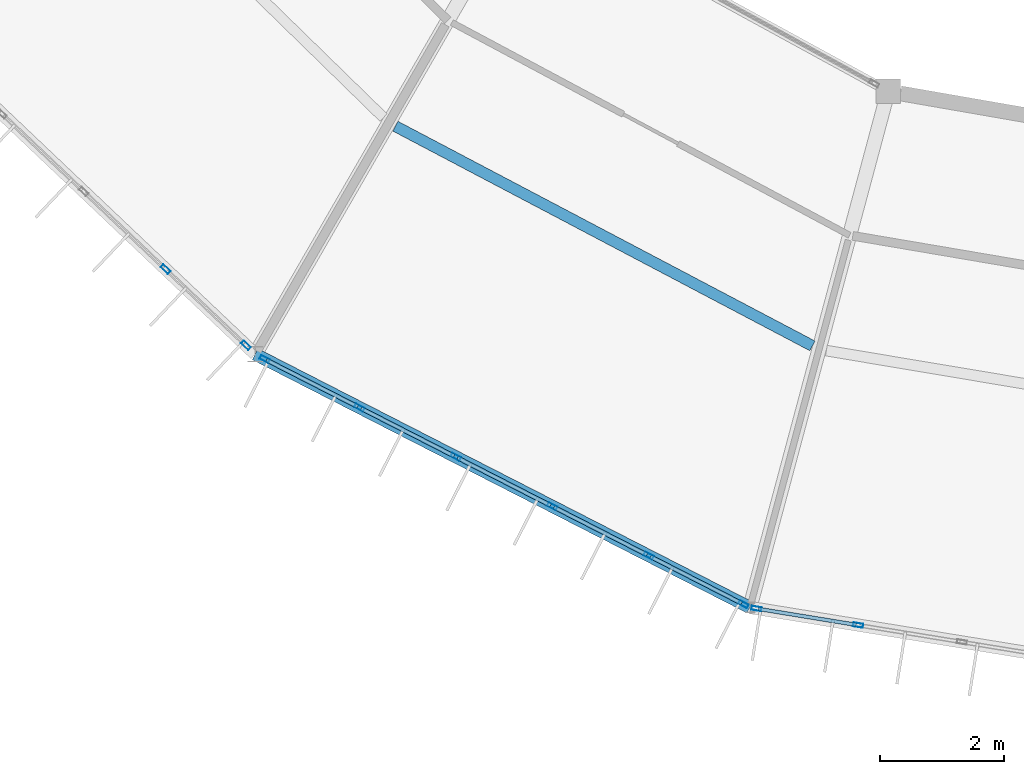
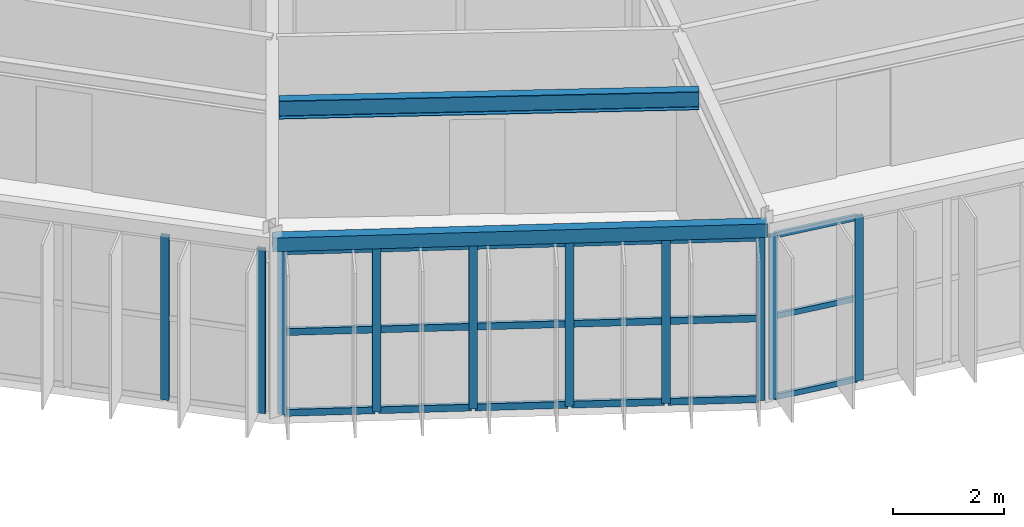
# One storey, part 20 of 130: 28 members, 2 beams, 3 elements without a shape of their own.
"""IFC4 building model written with IfcOpenShell, lengths in metres."""

from ifc_helpers import new_model, si_unit, direction, frame, origin, origin_2d, place, context, subcontext, project, spatial, hollow_rectangle, i_section, extrude, material, material_profile, profile_set, type_object, element, aggregate, save


model = new_model("IFC4")

# Units and contexts
model_context = context("Model", 3, precision=1e-05, world=origin(), true_north=direction((0.0, 1.0)))
body_context = subcontext(model_context, "Body", "Model", "MODEL_VIEW")
ifc_project = project(units=[si_unit("LENGTHUNIT", "METRE"), si_unit("AREAUNIT", "SQUARE_METRE"), si_unit("VOLUMEUNIT", "CUBIC_METRE"), si_unit("PLANEANGLEUNIT", "RADIAN"), si_unit("MASSUNIT", "GRAM", prefix="KILO")], contexts=[model_context])

# Site, building, storey
site_placement = place(None, origin())
site = spatial("IfcSite", under=ifc_project, at=site_placement, CompositionType="ELEMENT")
building_placement = place(site_placement, origin())
building = spatial("IfcBuilding", under=site, at=building_placement, Name="Karori Crest Natural Sciences Institute", CompositionType="ELEMENT")
storey_placement = place(building_placement, frame((0.0, 0.0, 17.5)))
storey = spatial("IfcBuildingStorey", under=building, at=storey_placement, Name="L04", CompositionType="ELEMENT", Elevation=17.5)

# Beams
ifc_material_1 = material(Name="Hollow structural steel AS/NZS 1163 Grade C350", Category="steel")
ifc_material_profile_1 = material_profile(ifc_material_1, hollow_rectangle(XDim=0.199951171875, YDim=0.300048828125, WallThickness=0.010009765625, at=origin_2d()), Name="RHS300x200x10")
ifc_profile_set_1 = profile_set([ifc_material_profile_1], Name="Hollow structural steel AS/NZS 1163 Grade C350")
beam_type_1 = type_object("IfcBeamType", Name="BT-15", PredefinedType="SPANDREL", material=ifc_profile_set_1)
beam_1_placement = place(storey_placement, frame((49.89990234375, 14.566162109375, 3.7900390625), z_axis=(0.890071733872, -0.455820478436, 0.0), x_axis=(0.455820478436, 0.890071733872, 0.0)))
element("IfcBeam", 1, at=beam_1_placement, inside=storey, type_object=beam_type_1, Name="Beam B-0510", PredefinedType="SPANDREL", context=body_context, shape_type="SweptSolid", body=[
    extrude(hollow_rectangle(XDim=0.199951171875, YDim=0.300048828125, WallThickness=0.010009765625, at=origin_2d()), origin(), (0.0, 0.0, 1.0), 8.94189453125),
])
ifc_material_2 = material(Name="Structural steel AS/NZS 3679.1 Grade 350", Category="steel")
ifc_material_profile_2 = material_profile(ifc_material_2, i_section(OverallWidth=0.177978515625, OverallDepth=0.403076171875, WebThickness=0.007568359375, FlangeThickness=0.010986328125, FilletRadius=0.010986328125, at=origin_2d()), Name="410UB53.7")
ifc_profile_set_2 = profile_set([ifc_material_profile_2], Name="Structural steel AS/NZS 3679.1 Grade 350")
beam_type_2 = type_object("IfcBeamType", Name="BT-29", PredefinedType="BEAM", material=ifc_profile_set_2)
beam_2_placement = place(storey_placement, frame((52.15625, 18.234130859375, 3.738525390625), z_axis=(0.884748465601, -0.466068828197, 0.0), x_axis=(0.466068828197, 0.884748465601, 0.0)))
element("IfcBeam", 2, at=beam_2_placement, inside=storey, type_object=beam_type_2, Name="Beam B-0513", PredefinedType="BEAM", context=body_context, shape_type="SweptSolid", body=[
    extrude(i_section(OverallWidth=0.177978515625, OverallDepth=0.403076171875, WebThickness=0.007568359375, FlangeThickness=0.010986328125, FilletRadius=0.010986328125, at=origin_2d()), origin(), (0.0, 0.0, 1.0), 7.58349609375),
])

# Curtain wall, members
ifc_material_3 = material(Name="Anodised architectural aluminium 6063-T6", Category="aluminium")
curtain_wall_type_1 = type_object("IfcCurtainWallType", Name="CWT-06", PredefinedType="NOTDEFINED", material=ifc_material_3)
curtain_wall_1_placement = place(storey_placement, origin())
curtain_wall_1 = element("IfcCurtainWall", 3, at=curtain_wall_1_placement, inside=storey, type_object=curtain_wall_type_1, Name="Curtain wall CW-0159", PredefinedType="NOTDEFINED")
ifc_material_profile_3 = material_profile(ifc_material_3, hollow_rectangle(XDim=0.06494140625, YDim=0.159912109375, WallThickness=0.00390625, at=origin_2d()), Name="CWM160x65x4")
ifc_profile_set_3 = profile_set([ifc_material_profile_3], Name="Anodised architectural aluminium 6063-T6")
member_type_1 = type_object("IfcMemberType", Name="CWM-01", PredefinedType="MULLION", material=ifc_profile_set_3)
member_1_placement = place(storey_placement, frame((49.750732421875, 14.707763671875, 0.0), z_axis=(0.0, 0.0, 1.0), x_axis=(-0.688252251648, -0.725471459192, 0.0)))
member_1 = element("IfcMember", 4, at=member_1_placement, type_object=member_type_1, Name="CW-0159 mullion 1", PredefinedType="MULLION", context=body_context, shape_type="SweptSolid", body=[
    extrude(hollow_rectangle(XDim=0.06494140625, YDim=0.159912109375, WallThickness=0.00390625, at=origin_2d()), origin(), (0.0, 0.0, 1.0), 3.625),
])
member_2_placement = place(storey_placement, frame((48.4580078125, 15.934326171875, 0.0), z_axis=(0.0, 0.0, 1.0), x_axis=(-0.688252251648, -0.725471459192, 0.0)))
member_2 = element("IfcMember", 5, at=member_2_placement, type_object=member_type_1, Name="CW-0159 mullion 2", PredefinedType="MULLION", context=body_context, shape_type="SweptSolid", body=[
    extrude(hollow_rectangle(XDim=0.06494140625, YDim=0.159912109375, WallThickness=0.00390625, at=origin_2d()), origin(), (0.0, 0.0, 1.0), 3.625),
])
aggregate(curtain_wall_1, [member_1, member_2])

curtain_wall_type_2 = type_object("IfcCurtainWallType", Name="CWT-07", PredefinedType="NOTDEFINED", material=ifc_material_3)
curtain_wall_2_placement = place(storey_placement, origin())
curtain_wall_2 = element("IfcCurtainWall", 6, at=curtain_wall_2_placement, inside=storey, type_object=curtain_wall_type_2, Name="Curtain wall CW-0160", PredefinedType="NOTDEFINED")
member_3_placement = place(storey_placement, frame((57.7548828125, 10.54345703125, 0.0), z_axis=(0.0, 0.0, 1.0), x_axis=(-0.455828878252, -0.890067432138, 0.0)))
member_3 = element("IfcMember", 7, at=member_3_placement, type_object=member_type_1, Name="CW-0160 mullion 1", PredefinedType="MULLION", context=body_context, shape_type="SweptSolid", body=[
    extrude(hollow_rectangle(XDim=0.06494140625, YDim=0.159912109375, WallThickness=0.00390625, at=origin_2d()), origin(), (0.0, 0.0, 1.0), 3.625),
])
member_4_placement = place(storey_placement, frame((56.232177734375, 11.323486328125, 0.0), z_axis=(0.0, 0.0, 1.0), x_axis=(-0.455828878252, -0.890067432138, 0.0)))
member_4 = element("IfcMember", 8, at=member_4_placement, type_object=member_type_1, Name="CW-0160 mullion 2", PredefinedType="MULLION", context=body_context, shape_type="SweptSolid", body=[
    extrude(hollow_rectangle(XDim=0.06494140625, YDim=0.159912109375, WallThickness=0.00390625, at=origin_2d()), origin(), (0.0, 0.0, 1.0), 3.625),
])
member_5_placement = place(storey_placement, frame((54.680419921875, 12.1181640625, 0.0), z_axis=(0.0, 0.0, 1.0), x_axis=(-0.455828878252, -0.890067432138, 0.0)))
member_5 = element("IfcMember", 9, at=member_5_placement, type_object=member_type_1, Name="CW-0160 mullion 3", PredefinedType="MULLION", context=body_context, shape_type="SweptSolid", body=[
    extrude(hollow_rectangle(XDim=0.06494140625, YDim=0.159912109375, WallThickness=0.00390625, at=origin_2d()), origin(), (0.0, 0.0, 1.0), 3.625),
])
member_6_placement = place(storey_placement, frame((53.128662109375, 12.912841796875, 0.0), z_axis=(0.0, 0.0, 1.0), x_axis=(-0.455828878252, -0.890067432138, 0.0)))
member_6 = element("IfcMember", 10, at=member_6_placement, type_object=member_type_1, Name="CW-0160 mullion 4", PredefinedType="MULLION", context=body_context, shape_type="SweptSolid", body=[
    extrude(hollow_rectangle(XDim=0.06494140625, YDim=0.159912109375, WallThickness=0.00390625, at=origin_2d()), origin(), (0.0, 0.0, 1.0), 3.625),
])
member_7_placement = place(storey_placement, frame((51.576904296875, 13.70751953125, 0.0), z_axis=(0.0, 0.0, 1.0), x_axis=(-0.455828878252, -0.890067432138, 0.0)))
member_7 = element("IfcMember", 11, at=member_7_placement, type_object=member_type_1, Name="CW-0160 mullion 5", PredefinedType="MULLION", context=body_context, shape_type="SweptSolid", body=[
    extrude(hollow_rectangle(XDim=0.06494140625, YDim=0.159912109375, WallThickness=0.00390625, at=origin_2d()), origin(), (0.0, 0.0, 1.0), 3.625),
])
member_8_placement = place(storey_placement, frame((50.05419921875, 14.4873046875, 0.0), z_axis=(0.0, 0.0, 1.0), x_axis=(-0.455828878252, -0.890067432138, 0.0)))
member_8 = element("IfcMember", 12, at=member_8_placement, type_object=member_type_1, Name="CW-0160 mullion 6", PredefinedType="MULLION", context=body_context, shape_type="SweptSolid", body=[
    extrude(hollow_rectangle(XDim=0.06494140625, YDim=0.159912109375, WallThickness=0.00390625, at=origin_2d()), origin(), (0.0, 0.0, 1.0), 3.625),
])

curtain_wall_type_3 = type_object("IfcCurtainWallType", Name="CWT-08", PredefinedType="NOTDEFINED", material=ifc_material_3)
curtain_wall_3_placement = place(storey_placement, origin())
curtain_wall_3 = element("IfcCurtainWall", 13, at=curtain_wall_3_placement, inside=storey, type_object=curtain_wall_type_3, Name="Curtain wall CW-0162", PredefinedType="NOTDEFINED")
member_9_placement = place(storey_placement, frame((59.60205078125, 10.20654296875, 0.0), z_axis=(0.0, 0.0, 1.0), x_axis=(-0.160655493101, -0.987010543275, 0.0)))
member_9 = element("IfcMember", 14, at=member_9_placement, type_object=member_type_1, Name="CW-0162 mullion 5", PredefinedType="MULLION", context=body_context, shape_type="SweptSolid", body=[
    extrude(hollow_rectangle(XDim=0.06494140625, YDim=0.159912109375, WallThickness=0.00390625, at=origin_2d()), origin(), (0.0, 0.0, 1.0), 3.625),
])
member_10_placement = place(storey_placement, frame((57.966064453125, 10.472900390625, 0.0), z_axis=(0.0, 0.0, 1.0), x_axis=(-0.160655493101, -0.987010543275, 0.0)))
member_10 = element("IfcMember", 15, at=member_10_placement, type_object=member_type_1, Name="CW-0162 mullion 6", PredefinedType="MULLION", context=body_context, shape_type="SweptSolid", body=[
    extrude(hollow_rectangle(XDim=0.06494140625, YDim=0.159912109375, WallThickness=0.00390625, at=origin_2d()), origin(), (0.0, 0.0, 1.0), 3.625),
])
ifc_material_profile_4 = material_profile(ifc_material_3, hollow_rectangle(XDim=0.06005859375, YDim=0.1201171875, WallThickness=0.00390625, at=origin_2d()), Name="CWT120x60x4")
ifc_profile_set_4 = profile_set([ifc_material_profile_4], Name="Anodised architectural aluminium 6063-T6")
member_type_2 = type_object("IfcMemberType", Name="CWT-TR1", PredefinedType="USERDEFINED", material=ifc_profile_set_4)
member_11_placement = place(storey_placement, frame((59.56982421875, 10.211669921875, 0.030029296875), z_axis=(-0.987008400747, 0.16066865548, 0.0), x_axis=(-0.16066865548, -0.987008400747, 0.0)))
member_11 = element("IfcMember", 16, at=member_11_placement, type_object=member_type_2, Name="CW-0162 transom 5.1", ObjectType="TRANSOM", PredefinedType="USERDEFINED", context=body_context, shape_type="SweptSolid", body=[
    extrude(hollow_rectangle(XDim=0.06005859375, YDim=0.1201171875, WallThickness=0.00390625, at=origin_2d()), origin(), (0.0, 0.0, 1.0), 1.592529296875),
])
member_12_placement = place(storey_placement, frame((59.56982421875, 10.211669921875, 1.8125), z_axis=(-0.987008400747, 0.16066865548, 0.0), x_axis=(-0.16066865548, -0.987008400747, 0.0)))
member_12 = element("IfcMember", 17, at=member_12_placement, type_object=member_type_2, Name="CW-0162 transom 5.2", ObjectType="TRANSOM", PredefinedType="USERDEFINED", context=body_context, shape_type="SweptSolid", body=[
    extrude(hollow_rectangle(XDim=0.06005859375, YDim=0.1201171875, WallThickness=0.00390625, at=origin_2d()), origin(), (0.0, 0.0, 1.0), 1.592529296875),
])
member_13_placement = place(storey_placement, frame((59.56982421875, 10.211669921875, 3.594970703125), z_axis=(-0.987008400747, 0.16066865548, 0.0), x_axis=(-0.16066865548, -0.987008400747, 0.0)))
member_13 = element("IfcMember", 18, at=member_13_placement, type_object=member_type_2, Name="CW-0162 transom 5.3", ObjectType="TRANSOM", PredefinedType="USERDEFINED", context=body_context, shape_type="SweptSolid", body=[
    extrude(hollow_rectangle(XDim=0.06005859375, YDim=0.1201171875, WallThickness=0.00390625, at=origin_2d()), origin(), (0.0, 0.0, 1.0), 1.592529296875),
])
aggregate(curtain_wall_3, [member_9, member_10, member_11, member_12, member_13])

# Member
ifc_material_profile_5 = material_profile(ifc_material_3, hollow_rectangle(XDim=0.06494140625, YDim=0.14990234375, WallThickness=0.00390625, at=origin_2d()), Name="CWT150x65x4")
ifc_profile_set_5 = profile_set([ifc_material_profile_5], Name="Anodised architectural aluminium 6063-T6")
member_type_3 = type_object("IfcMemberType", Name="CWT-TR2", PredefinedType="USERDEFINED", material=ifc_profile_set_5)
member_14_placement = place(storey_placement, frame((57.725830078125, 10.558349609375, 0.032470703125), z_axis=(-0.890053640935, 0.455855806432, 0.0), x_axis=(-0.455855806432, -0.890053640935, 0.0)))
member_14 = element("IfcMember", 19, at=member_14_placement, type_object=member_type_3, Name="CW-0160 transom 1.1", ObjectType="TRANSOM", PredefinedType="USERDEFINED", context=body_context, shape_type="SweptSolid", body=[
    extrude(hollow_rectangle(XDim=0.06494140625, YDim=0.14990234375, WallThickness=0.00390625, at=origin_2d()), origin(), (0.0, 0.0, 1.0), 1.645751953125),
])

member_15_placement = place(storey_placement, frame((57.725830078125, 10.558349609375, 1.8125), z_axis=(-0.890053640935, 0.455855806432, 0.0), x_axis=(-0.455855806432, -0.890053640935, 0.0)))
member_15 = element("IfcMember", 20, at=member_15_placement, type_object=member_type_3, Name="CW-0160 transom 1.2", ObjectType="TRANSOM", PredefinedType="USERDEFINED", context=body_context, shape_type="SweptSolid", body=[
    extrude(hollow_rectangle(XDim=0.06494140625, YDim=0.14990234375, WallThickness=0.00390625, at=origin_2d()), origin(), (0.0, 0.0, 1.0), 1.645751953125),
])

member_16_placement = place(storey_placement, frame((57.725830078125, 10.558349609375, 3.592529296875), z_axis=(-0.890053640935, 0.455855806432, 0.0), x_axis=(-0.455855806432, -0.890053640935, 0.0)))
member_16 = element("IfcMember", 21, at=member_16_placement, type_object=member_type_3, Name="CW-0160 transom 1.3", ObjectType="TRANSOM", PredefinedType="USERDEFINED", context=body_context, shape_type="SweptSolid", body=[
    extrude(hollow_rectangle(XDim=0.06494140625, YDim=0.14990234375, WallThickness=0.00390625, at=origin_2d()), origin(), (0.0, 0.0, 1.0), 1.645751953125),
])

member_17_placement = place(storey_placement, frame((56.203125, 11.338134765625, 0.032470703125), z_axis=(-0.890050562189, 0.455861817601, 0.0), x_axis=(-0.455861817601, -0.890050562189, 0.0)))
member_17 = element("IfcMember", 22, at=member_17_placement, type_object=member_type_3, Name="CW-0160 transom 2.1", ObjectType="TRANSOM", PredefinedType="USERDEFINED", context=body_context, shape_type="SweptSolid", body=[
    extrude(hollow_rectangle(XDim=0.06494140625, YDim=0.14990234375, WallThickness=0.00390625, at=origin_2d()), origin(), (0.0, 0.0, 1.0), 1.678466796875),
])

member_18_placement = place(storey_placement, frame((56.203125, 11.338134765625, 1.8125), z_axis=(-0.890050562189, 0.455861817601, 0.0), x_axis=(-0.455861817601, -0.890050562189, 0.0)))
member_18 = element("IfcMember", 23, at=member_18_placement, type_object=member_type_3, Name="CW-0160 transom 2.2", ObjectType="TRANSOM", PredefinedType="USERDEFINED", context=body_context, shape_type="SweptSolid", body=[
    extrude(hollow_rectangle(XDim=0.06494140625, YDim=0.14990234375, WallThickness=0.00390625, at=origin_2d()), origin(), (0.0, 0.0, 1.0), 1.678466796875),
])

member_19_placement = place(storey_placement, frame((56.203125, 11.338134765625, 3.592529296875), z_axis=(-0.890050562189, 0.455861817601, 0.0), x_axis=(-0.455861817601, -0.890050562189, 0.0)))
member_19 = element("IfcMember", 24, at=member_19_placement, type_object=member_type_3, Name="CW-0160 transom 2.3", ObjectType="TRANSOM", PredefinedType="USERDEFINED", context=body_context, shape_type="SweptSolid", body=[
    extrude(hollow_rectangle(XDim=0.06494140625, YDim=0.14990234375, WallThickness=0.00390625, at=origin_2d()), origin(), (0.0, 0.0, 1.0), 1.678466796875),
])

member_20_placement = place(storey_placement, frame((54.6513671875, 12.1328125, 0.032470703125), z_axis=(-0.890050562189, 0.455861817601, 0.0), x_axis=(-0.455861817601, -0.890050562189, 0.0)))
member_20 = element("IfcMember", 25, at=member_20_placement, type_object=member_type_3, Name="CW-0160 transom 3.1", ObjectType="TRANSOM", PredefinedType="USERDEFINED", context=body_context, shape_type="SweptSolid", body=[
    extrude(hollow_rectangle(XDim=0.06494140625, YDim=0.14990234375, WallThickness=0.00390625, at=origin_2d()), origin(), (0.0, 0.0, 1.0), 1.678466796875),
])

member_21_placement = place(storey_placement, frame((54.6513671875, 12.1328125, 1.8125), z_axis=(-0.890050562189, 0.455861817601, 0.0), x_axis=(-0.455861817601, -0.890050562189, 0.0)))
member_21 = element("IfcMember", 26, at=member_21_placement, type_object=member_type_3, Name="CW-0160 transom 3.2", ObjectType="TRANSOM", PredefinedType="USERDEFINED", context=body_context, shape_type="SweptSolid", body=[
    extrude(hollow_rectangle(XDim=0.06494140625, YDim=0.14990234375, WallThickness=0.00390625, at=origin_2d()), origin(), (0.0, 0.0, 1.0), 1.678466796875),
])

member_22_placement = place(storey_placement, frame((54.6513671875, 12.1328125, 3.592529296875), z_axis=(-0.890050562189, 0.455861817601, 0.0), x_axis=(-0.455861817601, -0.890050562189, 0.0)))
member_22 = element("IfcMember", 27, at=member_22_placement, type_object=member_type_3, Name="CW-0160 transom 3.3", ObjectType="TRANSOM", PredefinedType="USERDEFINED", context=body_context, shape_type="SweptSolid", body=[
    extrude(hollow_rectangle(XDim=0.06494140625, YDim=0.14990234375, WallThickness=0.00390625, at=origin_2d()), origin(), (0.0, 0.0, 1.0), 1.678466796875),
])

member_23_placement = place(storey_placement, frame((53.099609375, 12.927490234375, 0.032470703125), z_axis=(-0.890020328927, 0.455920841919, 0.0), x_axis=(-0.455920841919, -0.890020328927, 0.0)))
member_23 = element("IfcMember", 28, at=member_23_placement, type_object=member_type_3, Name="CW-0160 transom 4.1", ObjectType="TRANSOM", PredefinedType="USERDEFINED", context=body_context, shape_type="SweptSolid", body=[
    extrude(hollow_rectangle(XDim=0.06494140625, YDim=0.14990234375, WallThickness=0.00390625, at=origin_2d()), origin(), (0.0, 0.0, 1.0), 1.67822265625),
])

member_24_placement = place(storey_placement, frame((53.099609375, 12.927490234375, 1.8125), z_axis=(-0.890020328927, 0.455920841919, 0.0), x_axis=(-0.455920841919, -0.890020328927, 0.0)))
member_24 = element("IfcMember", 29, at=member_24_placement, type_object=member_type_3, Name="CW-0160 transom 4.2", ObjectType="TRANSOM", PredefinedType="USERDEFINED", context=body_context, shape_type="SweptSolid", body=[
    extrude(hollow_rectangle(XDim=0.06494140625, YDim=0.14990234375, WallThickness=0.00390625, at=origin_2d()), origin(), (0.0, 0.0, 1.0), 1.67822265625),
])

member_25_placement = place(storey_placement, frame((53.099609375, 12.927490234375, 3.592529296875), z_axis=(-0.890020328927, 0.455920841919, 0.0), x_axis=(-0.455920841919, -0.890020328927, 0.0)))
member_25 = element("IfcMember", 30, at=member_25_placement, type_object=member_type_3, Name="CW-0160 transom 4.3", ObjectType="TRANSOM", PredefinedType="USERDEFINED", context=body_context, shape_type="SweptSolid", body=[
    extrude(hollow_rectangle(XDim=0.06494140625, YDim=0.14990234375, WallThickness=0.00390625, at=origin_2d()), origin(), (0.0, 0.0, 1.0), 1.67822265625),
])

member_26_placement = place(storey_placement, frame((51.548095703125, 13.72216796875, 0.032470703125), z_axis=(-0.890084461025, 0.455795625518, 0.0), x_axis=(-0.455795625518, -0.890084461025, 0.0)))
member_26 = element("IfcMember", 31, at=member_26_placement, type_object=member_type_3, Name="CW-0160 transom 5.1", ObjectType="TRANSOM", PredefinedType="USERDEFINED", context=body_context, shape_type="SweptSolid", body=[
    extrude(hollow_rectangle(XDim=0.06494140625, YDim=0.14990234375, WallThickness=0.00390625, at=origin_2d()), origin(), (0.0, 0.0, 1.0), 1.64599609375),
])

member_27_placement = place(storey_placement, frame((51.548095703125, 13.72216796875, 1.8125), z_axis=(-0.890084461025, 0.455795625518, 0.0), x_axis=(-0.455795625518, -0.890084461025, 0.0)))
member_27 = element("IfcMember", 32, at=member_27_placement, type_object=member_type_3, Name="CW-0160 transom 5.2", ObjectType="TRANSOM", PredefinedType="USERDEFINED", context=body_context, shape_type="SweptSolid", body=[
    extrude(hollow_rectangle(XDim=0.06494140625, YDim=0.14990234375, WallThickness=0.00390625, at=origin_2d()), origin(), (0.0, 0.0, 1.0), 1.64599609375),
])

member_28_placement = place(storey_placement, frame((51.548095703125, 13.72216796875, 3.592529296875), z_axis=(-0.890084461025, 0.455795625518, 0.0), x_axis=(-0.455795625518, -0.890084461025, 0.0)))
member_28 = element("IfcMember", 33, at=member_28_placement, type_object=member_type_3, Name="CW-0160 transom 5.3", ObjectType="TRANSOM", PredefinedType="USERDEFINED", context=body_context, shape_type="SweptSolid", body=[
    extrude(hollow_rectangle(XDim=0.06494140625, YDim=0.14990234375, WallThickness=0.00390625, at=origin_2d()), origin(), (0.0, 0.0, 1.0), 1.64599609375),
])

aggregate(curtain_wall_2, [member_3, member_4, member_5, member_6, member_7, member_8, member_14, member_15, member_16, member_17, member_18, member_19, member_20, member_21, member_22, member_23, member_24, member_25, member_26, member_27, member_28])

save(model, "model.ifc")
